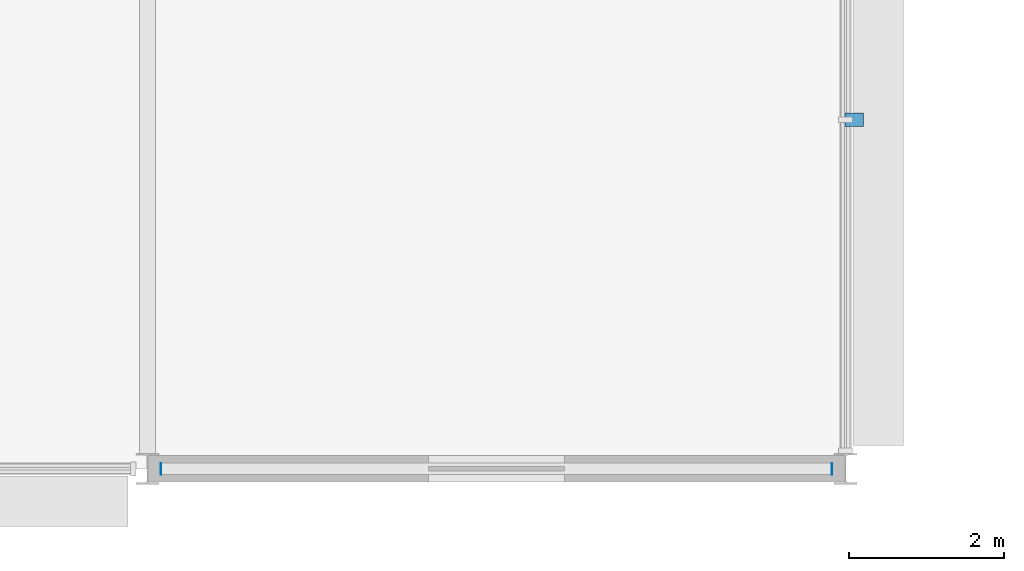
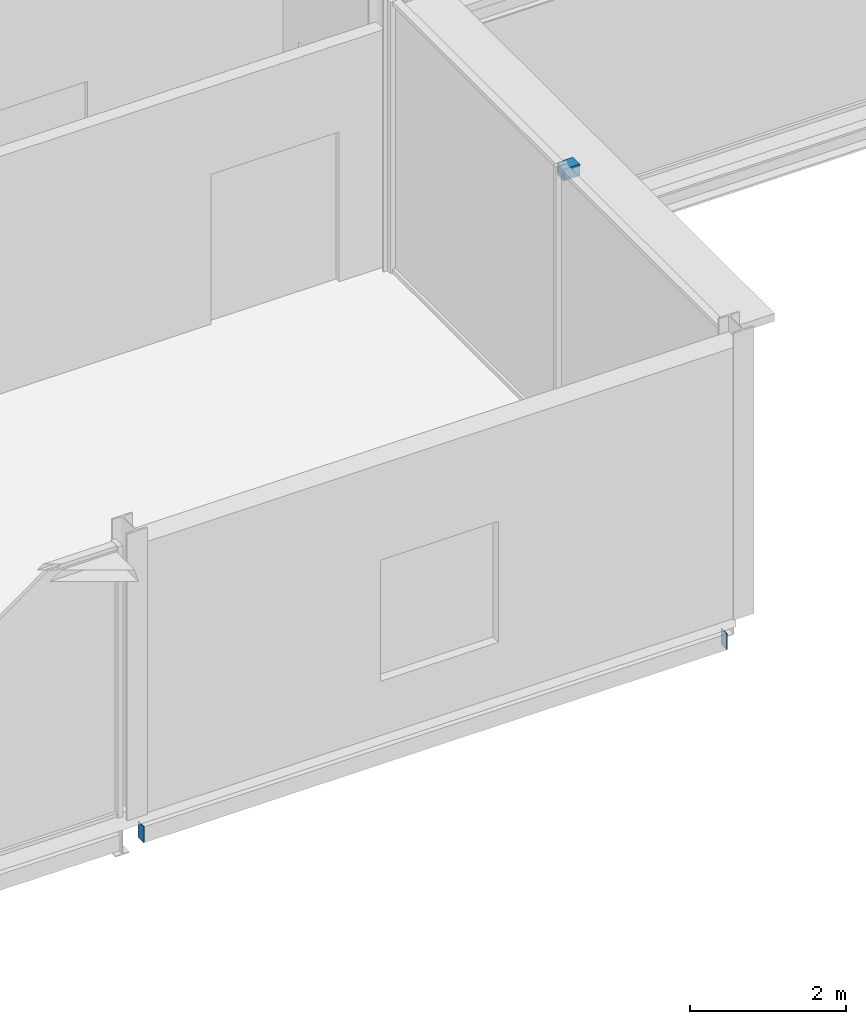
# One storey, part 49 of 73: 3 discrete accessories.
"""IFC4 building model written with IfcOpenShell, lengths in metres."""

from ifc_helpers import new_model, si_unit, direction, frame, origin, origin_2d, place, context, subcontext, project, spatial, polyline, rectangle, outline, extrude, material, layer, layer_set, type_object, element, save


model = new_model("IFC4")

# Units and contexts
model_context = context("Model", 3, precision=1e-05, world=origin(), true_north=direction((0.0, 1.0)))
body_context = subcontext(model_context, "Body", "Model", "MODEL_VIEW")
ifc_project = project(units=[si_unit("LENGTHUNIT", "METRE"), si_unit("AREAUNIT", "SQUARE_METRE"), si_unit("VOLUMEUNIT", "CUBIC_METRE"), si_unit("PLANEANGLEUNIT", "RADIAN"), si_unit("MASSUNIT", "GRAM", prefix="KILO")], contexts=[model_context])

# Site, building, storey
site_placement = place(None, origin())
site = spatial("IfcSite", under=ifc_project, at=site_placement, CompositionType="ELEMENT")
building_placement = place(site_placement, origin())
building = spatial("IfcBuilding", under=site, at=building_placement, Name="Kisiwana Market Hall", CompositionType="ELEMENT")
storey_placement = place(building_placement, frame((0.0, 0.0, 33.300048828125)))
storey = spatial("IfcBuildingStorey", under=building, at=storey_placement, Name="L07", CompositionType="ELEMENT", Elevation=33.300048828125)

# Discrete accessories
ifc_material_1 = material(Name="Steel S355", Category="steel")
discrete_accessory_type_1 = type_object("IfcDiscreteAccessoryType", Name="ACC-BRACKET-STL", PredefinedType="BRACKET", material=ifc_material_1)
discrete_accessory_1_placement = place(storey_placement, frame((45.110107421875, 13.5, 4.044921875), z_axis=(0.0, 0.0, 1.0), x_axis=(0.0, 1.0, 0.0)))
element("IfcDiscreteAccessory", 1, at=discrete_accessory_1_placement, inside=storey, type_object=discrete_accessory_type_1, Name="Sunshade steel bracket BRK-136", PredefinedType="BRACKET", context=body_context, shape_type="SweptSolid", body=[
    extrude(rectangle(XDim=0.179931640625, YDim=0.239990234375, at=origin_2d()), origin(), (0.0, 0.0, 1.0), 0.179931640625),
])
ifc_material_2 = material(Name="Steel S355", Category="steel")
ifc_layer = layer(ifc_material_2, 0.011962890625)
ifc_layer_set = layer_set([ifc_layer], Name="ACC-ENDCAP-STL")
discrete_accessory_type_2 = type_object("IfcDiscreteAccessoryType", Name="ACC-ENDCAP-STL", PredefinedType="USERDEFINED", material=ifc_layer_set)
discrete_accessory_2_placement = place(storey_placement, frame((0.0, 0.0, -0.530029296875)))
element("IfcDiscreteAccessory", 2, at=discrete_accessory_2_placement, inside=storey, type_object=discrete_accessory_type_2, Name="End cap plate EC-0089", ObjectType="End cap plate", PredefinedType="USERDEFINED", context=body_context, shape_type="SweptSolid", body=[
    extrude(outline(polyline([(44.81884765625, 8.925048828125), (44.830810546875, 8.925048828125), (44.830810546875, 9.074951171875), (44.81884765625, 9.074951171875), (44.81884765625, 8.925048828125)])), origin(), (0.0, 0.0, 1.0), 0.25),
])
discrete_accessory_3_placement = place(storey_placement, frame((0.0, 0.0, -0.530029296875)))
element("IfcDiscreteAccessory", 3, at=discrete_accessory_3_placement, inside=storey, type_object=discrete_accessory_type_2, Name="End cap plate EC-0090", ObjectType="End cap plate", PredefinedType="USERDEFINED", context=body_context, shape_type="SweptSolid", body=[
    extrude(outline(polyline([(36.18115234375, 8.925048828125), (36.18115234375, 9.074951171875), (36.169189453125, 9.074951171875), (36.169189453125, 8.925048828125), (36.18115234375, 8.925048828125)])), origin(), (0.0, 0.0, 1.0), 0.25),
])

save(model, "model.ifc")
